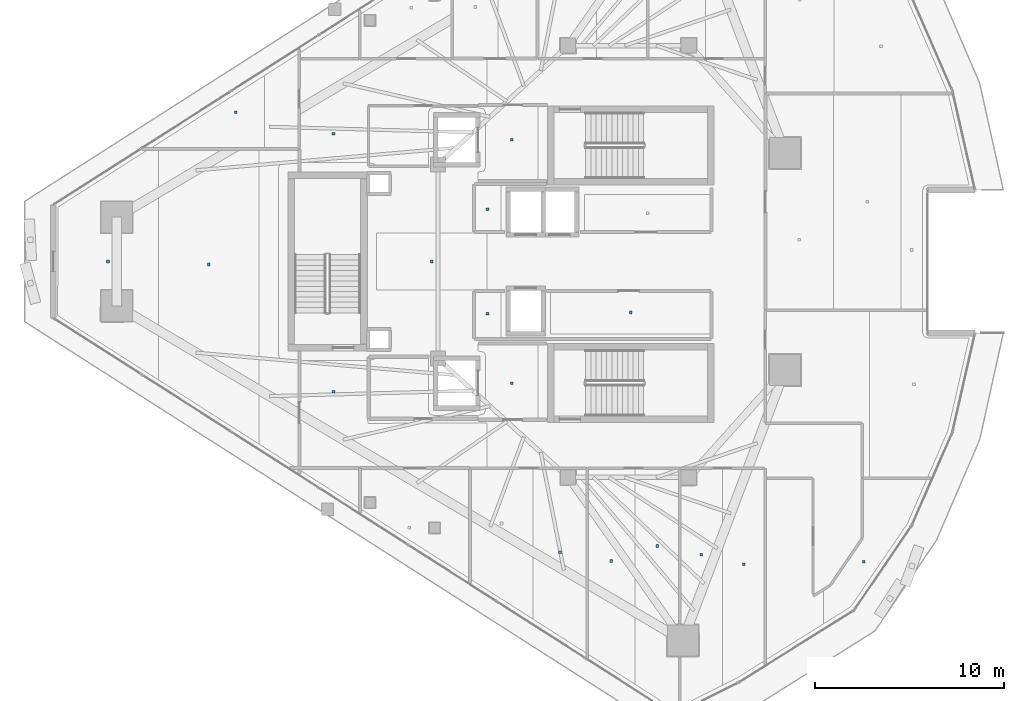
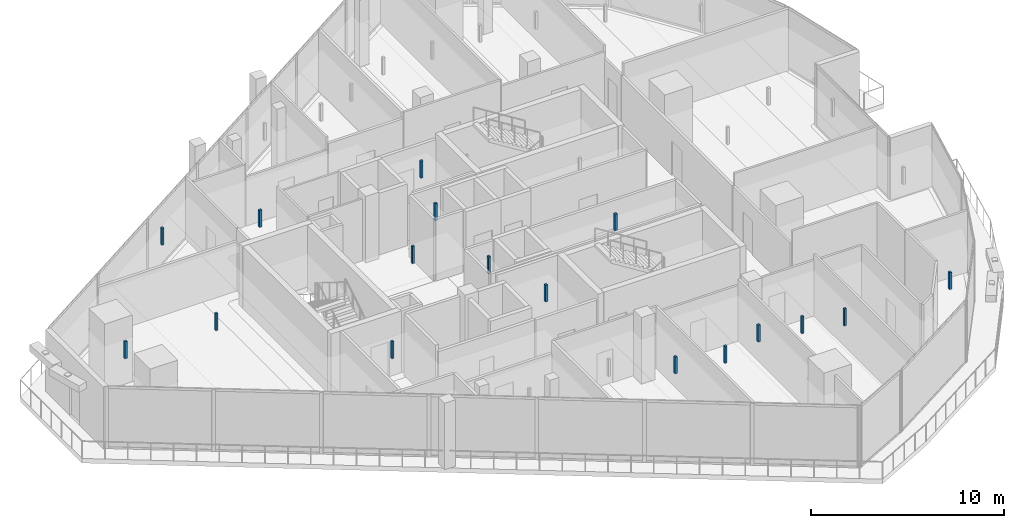
# One storey, part 28 of 36: 17 discrete accessories.
"""IFC4 building model written with IfcOpenShell, lengths in metres."""

from ifc_helpers import new_model, si_unit, direction, frame, origin, origin_2d, place, context, subcontext, project, spatial, rectangle, extrude, material, type_object, element, save


model = new_model("IFC4")

# Units and contexts
model_context = context("Model", 3, precision=1e-05, world=origin(), true_north=direction((0.0, 1.0)))
body_context = subcontext(model_context, "Body", "Model", "MODEL_VIEW")
ifc_project = project(units=[si_unit("LENGTHUNIT", "METRE"), si_unit("AREAUNIT", "SQUARE_METRE"), si_unit("VOLUMEUNIT", "CUBIC_METRE"), si_unit("PLANEANGLEUNIT", "RADIAN"), si_unit("MASSUNIT", "GRAM", prefix="KILO")], contexts=[model_context])

# Site, building, storey
site_placement = place(None, origin())
site = spatial("IfcSite", under=ifc_project, at=site_placement, CompositionType="ELEMENT")
building_placement = place(site_placement, origin())
building = spatial("IfcBuilding", under=site, at=building_placement, Name="Qorvath Tower", CompositionType="ELEMENT")
storey_placement = place(building_placement, frame((0.0, 0.0, 272.39990234375)))
storey = spatial("IfcBuildingStorey", under=building, at=storey_placement, Name="L63", CompositionType="ELEMENT", Elevation=272.39990234375)

# Discrete accessories
ifc_material = material(Name="Galvanised steel bracket", Category="steel")
discrete_accessory_type = type_object("IfcDiscreteAccessoryType", Name="DA-BRACKET", PredefinedType="BRACKET", material=ifc_material)
for number, where, z_axis, x_axis, name in (
    (1, (-26.590087890625, 6.449951171875, 2.860107421875), (0.0, 0.0, 1.0), (1.0, 0.0, 0.0), "Acoustic Ceiling Suspension Hanger T1-L63-001"),
    (2, (-26.590087890625, -6.449951171875, 2.860107421875), (0.0, 0.0, 1.0), (1.0, 0.0, 0.0), "Acoustic Ceiling Suspension Hanger T1-L63-002"),
    (3, (-27.87744140625, 2.762451171875, 2.860107421875), (0.0, 0.0, 1.0), (1.0, 0.0, 0.0), "Acoustic Ceiling Suspension Hanger T1-L63-004"),
    (4, (-20.2724609375, -2.70751953125, 2.860107421875), (0.0, 0.0, 1.0), (1.0, 0.0, 0.0), "Acoustic Ceiling Suspension Hanger T1-L63-005"),
    (5, (-27.87744140625, -2.762451171875, 2.860107421875), (0.0, 0.0, 1.0), (1.0, 0.0, 0.0), "Acoustic Ceiling Suspension Hanger T1-L63-006"),
    (6, (-36.04150390625, -6.907958984375, 2.860107421875), (0.0, 0.0, 1.0), (1.0, 0.0, 0.0), "Acoustic Ceiling Suspension Hanger T1-L63-009"),
    (7, (-36.040283203125, 6.782470703125, 2.860107421875), (0.0, 0.0, 1.0), (1.0, 0.0, 0.0), "Acoustic Ceiling Suspension Hanger T1-L63-010"),
    (8, (-30.8291015625, 0.0, 2.860107421875), (0.0, 0.0, 1.0), (1.0, 0.0, 0.0), "Acoustic Ceiling Suspension Hanger T1-L63-011"),
    (9, (-24.028076171875, -15.42822265625, 2.860107421875), (0.0, 0.0, 1.0), (1.0, 0.0, 0.0), "Acoustic Ceiling Suspension Hanger T1-L63-021"),
    (10, (-21.318603515625, -15.886962890625, 2.860107421875), (0.0, 0.0, 1.0), (1.0, 0.0, 0.0), "Acoustic Ceiling Suspension Hanger T1-L63-022"),
    (11, (-18.8720703125, -15.08984375, 2.860107421875), (0.0, 0.0, 1.0), (1.0, 0.0, 0.0), "Acoustic Ceiling Suspension Hanger T1-L63-023"),
    (12, (-16.53076171875, -15.563232421875, 2.860107421875), (0.0, 0.0, 1.0), (1.0, 0.0, 0.0), "Acoustic Ceiling Suspension Hanger T1-L63-024"),
    (13, (-14.27685546875, -16.06005859375, 2.860107421875), (0.0, 0.0, 1.0), (1.0, 0.0, 0.0), "Acoustic Ceiling Suspension Hanger T1-L63-025"),
    (14, (-7.9140625, -15.9326171875, 2.860107421875), (0.0, 0.0, 1.0), (1.0, 0.0, 0.0), "Acoustic Ceiling Suspension Hanger T1-L63-027"),
    (15, (-48.0009765625, 0.0, 2.860107421875), (0.0, 0.0, 1.0), (1.0, 0.0, 0.0), "Acoustic Ceiling Suspension Hanger T1-L63-035"),
    (16, (-42.6669921875, -0.159912109375, 2.860107421875), (0.0, 0.0, 1.0), (1.0, 0.0, 0.0), "Acoustic Ceiling Suspension Hanger T1-L63-036"),
    (17, (-41.228271484375, 7.916015625, 2.860107421875), (0.0, 0.0, 1.0), (1.0, 0.0, 0.0), "Acoustic Ceiling Suspension Hanger T1-L63-038"),
):
    element("IfcDiscreteAccessory", number, at=place(storey_placement, frame(where, z_axis=z_axis, x_axis=x_axis)), inside=storey, type_object=discrete_accessory_type, Name=name, PredefinedType="NOTDEFINED", context=body_context, shape_type="SweptSolid", body=[
        extrude(rectangle(XDim=0.139892578125, YDim=0.139892578125, at=origin_2d()), origin(), (0.0, 0.0, 1.0), 1.080078125),
    ])

save(model, "model.ifc")
